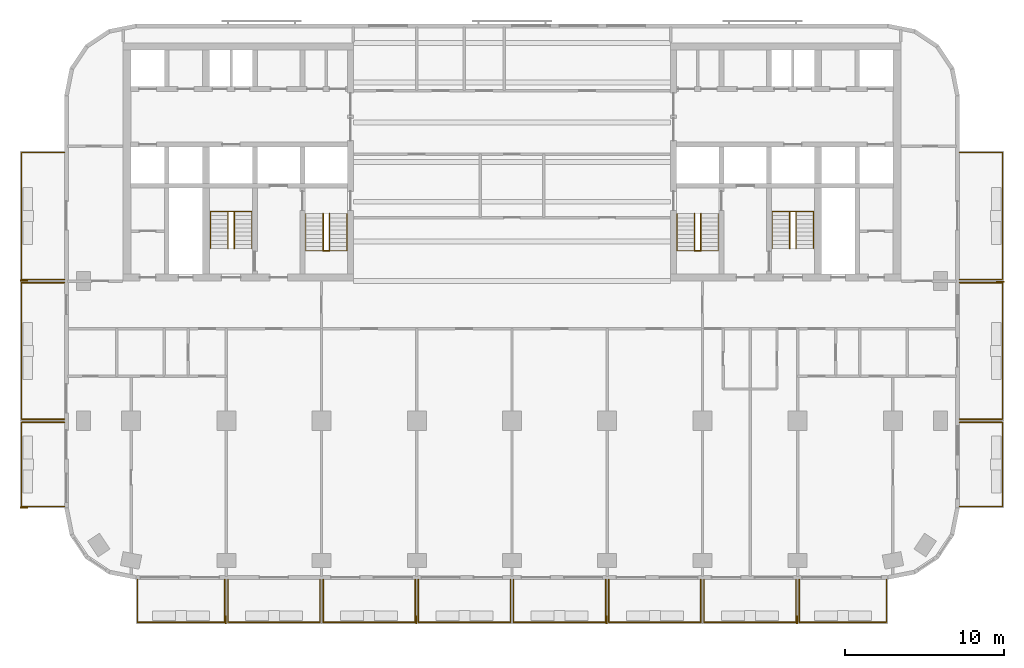
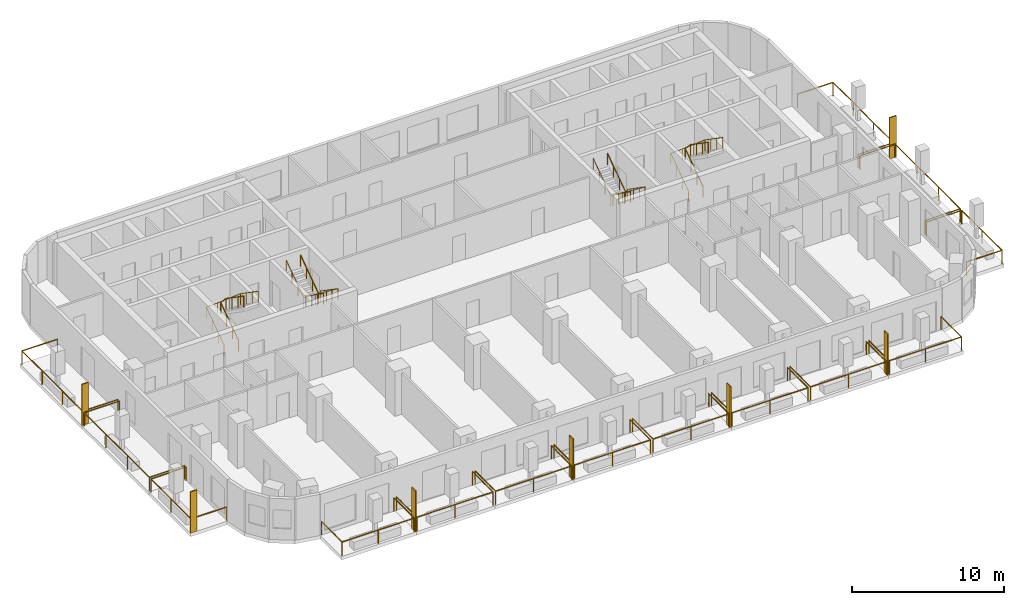
# One storey, part 10 of 12: 22 railings, 7 shading devices.
"""IFC4 building model written with IfcOpenShell, lengths in metres."""

from ifc_helpers import new_model, si_unit, direction, frame, origin, origin_2d, place, context, subcontext, project, spatial, rectangle, circle, extrude, material, layer, layer_set, type_object, element, save


model = new_model("IFC4")

# Units and contexts
model_context = context("Model", 3, precision=1e-05, world=origin(), true_north=direction((0.0, 1.0)))
body_context = subcontext(model_context, "Body", "Model", "MODEL_VIEW")
ifc_project = project(units=[si_unit("LENGTHUNIT", "METRE"), si_unit("AREAUNIT", "SQUARE_METRE"), si_unit("VOLUMEUNIT", "CUBIC_METRE"), si_unit("PLANEANGLEUNIT", "RADIAN"), si_unit("MASSUNIT", "GRAM", prefix="KILO")], contexts=[model_context])

# Site, building, storey
site_placement = place(None, origin())
site = spatial("IfcSite", under=ifc_project, at=site_placement, CompositionType="ELEMENT")
building_placement = place(site_placement, origin())
building = spatial("IfcBuilding", under=site, at=building_placement, Name="Torana Hotel and Residences", CompositionType="ELEMENT")
storey_placement = place(building_placement, frame((0.0, 0.0, 156.0)))
storey = spatial("IfcBuildingStorey", under=building, at=storey_placement, Name="L40", CompositionType="ELEMENT", Elevation=156.0)

# Shading devices
ifc_material_1 = material(Name="Black powder coated aluminium", Category="aluminium")
ifc_layer = layer(ifc_material_1, 0.080078125)
ifc_layer_set = layer_set([ifc_layer], Name="FN1 VERTICAL FIN 500x80")
shading_device_type = type_object("IfcShadingDeviceType", Name="FN1 VERTICAL FIN 500x80", PredefinedType="USERDEFINED", material=ifc_layer_set)
for number, where, z_axis, x_axis, name in (
    (1, (-18.0400390625, -36.35009765625, 0.0), (0.0, 0.0, 1.0), (-1.0, 0.0, 0.0), "Fin 01"),
    (2, (-6.0400390625, -36.35009765625, 0.0), (0.0, 0.0, 1.0), (-1.0, 0.0, 0.0), "Fin 03"),
    (3, (5.9599609375, -36.35009765625, 0.0), (0.0, 0.0, 1.0), (-1.0, 0.0, 0.0), "Fin 05"),
    (4, (17.9599609375, -36.35009765625, 0.0), (0.0, 0.0, 1.0), (-1.0, 0.0, 0.0), "Fin 07"),
    (5, (-30.75, -29.260009765625, 0.0), (0.0, 0.0, 1.0), (0.0, 1.0, 0.0), "Fin 09"),
    (6, (-30.75, -14.9599609375, 0.0), (0.0, 0.0, 1.0), (0.0, 1.0, 0.0), "Fin 11"),
    (7, (30.75, -15.0400390625, 0.0), (0.0, 0.0, 1.0), (0.0, -1.0, 0.0), "Fin 13"),
):
    element("IfcShadingDevice", number, at=place(storey_placement, frame(where, z_axis=z_axis, x_axis=x_axis)), inside=storey, type_object=shading_device_type, Name=name, ObjectType="FIN", PredefinedType="USERDEFINED", context=body_context, shape_type="SweptSolid", body=[
        extrude(rectangle(XDim=0.080078125, YDim=0.5, at=origin_2d()), origin(), (0.0, 0.0, 1.0), 3.320068359375),
    ])

# Railings
ifc_material_2 = material(Name="Laminated glass balustrade with black handrail", Category="glass")
railing_type_1 = type_object("IfcRailingType", Name="GR1 BALCONY GUARD 1100 GLASS", PredefinedType="GUARDRAIL", material=ifc_material_2)
railing_1_placement = place(storey_placement, frame((-18.10009765625, -33.800048828125, 0.0)))
element("IfcRailing", 8, at=railing_1_placement, inside=storey, type_object=railing_type_1, Name="Balcony guard 01", PredefinedType="GUARDRAIL", context=body_context, shape_type="SweptSolid", body=[
    extrude(circle(Radius=0.02392578125, at=origin_2d()), frame((0.0, 0.0, 1.076171875), z_axis=(0.0, -1.0, 0.0), x_axis=(1.0, 0.0, 0.0)), (0.0, 0.0, 1.0), 2.699951171875),
    extrude(circle(Radius=0.02392578125, at=origin_2d()), frame((0.0, -2.699951171875, 1.076171875), z_axis=(-1.0, 0.0, 0.0), x_axis=(0.0, -1.0, 0.0)), (0.0, 0.0, 1.0), 5.5),
    extrude(circle(Radius=0.02392578125, at=origin_2d()), frame((-5.5, -2.699951171875, 1.076171875), z_axis=(0.0, 1.0, 0.0), x_axis=(-1.0, 0.0, 0.0)), (0.0, 0.0, 1.0), 2.699951171875),
    extrude(circle(Radius=0.02099609375, at=origin_2d()), origin(), (0.0, 0.0, 1.0), 1.052001953125),
    extrude(circle(Radius=0.02099609375, at=origin_2d()), frame((0.0, -2.699951171875, 0.0)), (0.0, 0.0, 1.0), 1.052001953125),
    extrude(circle(Radius=0.02099609375, at=origin_2d()), frame((-2.75, -2.699951171875, 0.0)), (0.0, 0.0, 1.0), 1.052001953125),
    extrude(circle(Radius=0.02099609375, at=origin_2d()), frame((-5.5, -2.699951171875, 0.0)), (0.0, 0.0, 1.0), 1.052001953125),
    extrude(circle(Radius=0.02099609375, at=origin_2d()), frame((-5.5, 0.0, 0.0)), (0.0, 0.0, 1.0), 1.052001953125),
])
for number, where, name in (
    (9, (-12.10009765625, -33.800048828125, 0.0), "Balcony guard 02"),
    (10, (-6.10009765625, -33.800048828125, 0.0), "Balcony guard 03"),
    (11, (-0.10009765625, -33.800048828125, 0.0), "Balcony guard 04"),
    (12, (5.89990234375, -33.800048828125, 0.0), "Balcony guard 05"),
    (13, (11.89990234375, -33.800048828125, 0.0), "Balcony guard 06"),
    (14, (17.89990234375, -33.800048828125, 0.0), "Balcony guard 07"),
):
    element("IfcRailing", number, at=place(storey_placement, frame(where)), inside=storey, type_object=railing_type_1, Name=name, PredefinedType="GUARDRAIL", context=body_context, shape_type="SweptSolid", body=[
        extrude(circle(Radius=0.02392578125, at=origin_2d()), frame((0.0, 0.0, 1.076171875), z_axis=(0.0, -1.0, 0.0), x_axis=(1.0, 0.0, 0.0)), (0.0, 0.0, 1.0), 2.699951171875),
        extrude(circle(Radius=0.02392578125, at=origin_2d()), frame((0.0, -2.699951171875, 1.076171875), z_axis=(-1.0, 0.0, 0.0), x_axis=(0.0, -1.0, 0.0)), (0.0, 0.0, 1.0), 5.7998046875),
        extrude(circle(Radius=0.02392578125, at=origin_2d()), frame((-5.7998046875, -2.699951171875, 1.076171875), z_axis=(0.0, 1.0, 0.0), x_axis=(-1.0, 0.0, 0.0)), (0.0, 0.0, 1.0), 2.699951171875),
        extrude(circle(Radius=0.02099609375, at=origin_2d()), origin(), (0.0, 0.0, 1.0), 1.052001953125),
        extrude(circle(Radius=0.02099609375, at=origin_2d()), frame((0.0, -2.699951171875, 0.0)), (0.0, 0.0, 1.0), 1.052001953125),
        extrude(circle(Radius=0.02099609375, at=origin_2d()), frame((-2.89990234375, -2.699951171875, 0.0)), (0.0, 0.0, 1.0), 1.052001953125),
        extrude(circle(Radius=0.02099609375, at=origin_2d()), frame((-5.7998046875, -2.699951171875, 0.0)), (0.0, 0.0, 1.0), 1.052001953125),
        extrude(circle(Radius=0.02099609375, at=origin_2d()), frame((-5.7998046875, 0.0, 0.0)), (0.0, 0.0, 1.0), 1.052001953125),
    ])
railing_2_placement = place(storey_placement, frame((23.60009765625, -33.800048828125, 0.0)))
element("IfcRailing", 15, at=railing_2_placement, inside=storey, type_object=railing_type_1, Name="Balcony guard 08", PredefinedType="GUARDRAIL", context=body_context, shape_type="SweptSolid", body=[
    extrude(circle(Radius=0.02392578125, at=origin_2d()), frame((0.0, 0.0, 1.076171875), z_axis=(0.0, -1.0, 0.0), x_axis=(1.0, 0.0, 0.0)), (0.0, 0.0, 1.0), 2.699951171875),
    extrude(circle(Radius=0.02392578125, at=origin_2d()), frame((0.0, -2.699951171875, 1.076171875), z_axis=(-1.0, 0.0, 0.0), x_axis=(0.0, -1.0, 0.0)), (0.0, 0.0, 1.0), 5.5),
    extrude(circle(Radius=0.02392578125, at=origin_2d()), frame((-5.5, -2.699951171875, 1.076171875), z_axis=(0.0, 1.0, 0.0), x_axis=(-1.0, 0.0, 0.0)), (0.0, 0.0, 1.0), 2.699951171875),
    extrude(circle(Radius=0.02099609375, at=origin_2d()), origin(), (0.0, 0.0, 1.0), 1.052001953125),
    extrude(circle(Radius=0.02099609375, at=origin_2d()), frame((0.0, -2.699951171875, 0.0)), (0.0, 0.0, 1.0), 1.052001953125),
    extrude(circle(Radius=0.02099609375, at=origin_2d()), frame((-2.75, -2.699951171875, 0.0)), (0.0, 0.0, 1.0), 1.052001953125),
    extrude(circle(Radius=0.02099609375, at=origin_2d()), frame((-5.5, -2.699951171875, 0.0)), (0.0, 0.0, 1.0), 1.052001953125),
    extrude(circle(Radius=0.02099609375, at=origin_2d()), frame((-5.5, 0.0, 0.0)), (0.0, 0.0, 1.0), 1.052001953125),
])
railing_3_placement = place(storey_placement, frame((-28.199951171875, -29.199951171875, 0.0)))
element("IfcRailing", 16, at=railing_3_placement, inside=storey, type_object=railing_type_1, Name="Balcony guard 09", PredefinedType="GUARDRAIL", context=body_context, shape_type="SweptSolid", body=[
    extrude(circle(Radius=0.02392578125, at=origin_2d()), frame((0.0, 0.0, 1.076171875), z_axis=(-1.0, 0.0, 0.0), x_axis=(0.0, -1.0, 0.0)), (0.0, 0.0, 1.0), 2.699951171875),
    extrude(circle(Radius=0.02392578125, at=origin_2d()), frame((-2.699951171875, 0.0, 1.076171875), z_axis=(0.0, 1.0, 0.0), x_axis=(-1.0, 0.0, 0.0)), (0.0, 0.0, 1.0), 5.300048828125),
    extrude(circle(Radius=0.02392578125, at=origin_2d()), frame((-2.699951171875, 5.300048828125, 1.076171875), z_axis=(1.0, 0.0, 0.0), x_axis=(0.0, 1.0, 0.0)), (0.0, 0.0, 1.0), 2.699951171875),
    extrude(circle(Radius=0.02099609375, at=origin_2d()), origin(), (0.0, 0.0, 1.0), 1.052001953125),
    extrude(circle(Radius=0.02099609375, at=origin_2d()), frame((-2.699951171875, 0.0, 0.0)), (0.0, 0.0, 1.0), 1.052001953125),
    extrude(circle(Radius=0.02099609375, at=origin_2d()), frame((-2.699951171875, 2.64990234375, 0.0)), (0.0, 0.0, 1.0), 1.052001953125),
    extrude(circle(Radius=0.02099609375, at=origin_2d()), frame((-2.699951171875, 5.300048828125, 0.0)), (0.0, 0.0, 1.0), 1.052001953125),
    extrude(circle(Radius=0.02099609375, at=origin_2d()), frame((0.0, 5.300048828125, 0.0)), (0.0, 0.0, 1.0), 1.052001953125),
])
railing_4_placement = place(storey_placement, frame((-28.199951171875, -23.699951171875, 0.0)))
element("IfcRailing", 17, at=railing_4_placement, inside=storey, type_object=railing_type_1, Name="Balcony guard 10", PredefinedType="GUARDRAIL", context=body_context, shape_type="SweptSolid", body=[
    extrude(circle(Radius=0.02392578125, at=origin_2d()), frame((0.0, 0.0, 1.076171875), z_axis=(-1.0, 0.0, 0.0), x_axis=(0.0, -1.0, 0.0)), (0.0, 0.0, 1.0), 2.699951171875),
    extrude(circle(Radius=0.02392578125, at=origin_2d()), frame((-2.699951171875, 0.0, 1.076171875), z_axis=(0.0, 1.0, 0.0), x_axis=(-1.0, 0.0, 0.0)), (0.0, 0.0, 1.0), 8.599853515625),
    extrude(circle(Radius=0.02392578125, at=origin_2d()), frame((-2.699951171875, 8.599853515625, 1.076171875), z_axis=(1.0, 0.0, 0.0), x_axis=(0.0, 1.0, 0.0)), (0.0, 0.0, 1.0), 2.699951171875),
    extrude(circle(Radius=0.02099609375, at=origin_2d()), origin(), (0.0, 0.0, 1.0), 1.052001953125),
    extrude(circle(Radius=0.02099609375, at=origin_2d()), frame((-2.699951171875, 0.0, 0.0)), (0.0, 0.0, 1.0), 1.052001953125),
    extrude(circle(Radius=0.02099609375, at=origin_2d()), frame((-2.699951171875, 2.86669921875, 0.0)), (0.0, 0.0, 1.0), 1.052001953125),
    extrude(circle(Radius=0.02099609375, at=origin_2d()), frame((-2.699951171875, 5.733154296875, 0.0)), (0.0, 0.0, 1.0), 1.052001953125),
    extrude(circle(Radius=0.02099609375, at=origin_2d()), frame((-2.699951171875, 8.599853515625, 0.0)), (0.0, 0.0, 1.0), 1.052001953125),
    extrude(circle(Radius=0.02099609375, at=origin_2d()), frame((0.0, 8.599853515625, 0.0)), (0.0, 0.0, 1.0), 1.052001953125),
])
railing_5_placement = place(storey_placement, frame((-28.199951171875, -14.89990234375, 0.0)))
element("IfcRailing", 18, at=railing_5_placement, inside=storey, type_object=railing_type_1, Name="Balcony guard 11", PredefinedType="GUARDRAIL", context=body_context, shape_type="SweptSolid", body=[
    extrude(circle(Radius=0.02392578125, at=origin_2d()), frame((0.0, 0.0, 1.076171875), z_axis=(-1.0, 0.0, 0.0), x_axis=(0.0, -1.0, 0.0)), (0.0, 0.0, 1.0), 2.699951171875),
    extrude(circle(Radius=0.02392578125, at=origin_2d()), frame((-2.699951171875, 0.0, 1.076171875), z_axis=(0.0, 1.0, 0.0), x_axis=(-1.0, 0.0, 0.0)), (0.0, 0.0, 1.0), 8.0),
    extrude(circle(Radius=0.02392578125, at=origin_2d()), frame((-2.699951171875, 8.0, 1.076171875), z_axis=(1.0, 0.0, 0.0), x_axis=(0.0, 1.0, 0.0)), (0.0, 0.0, 1.0), 2.699951171875),
    extrude(circle(Radius=0.02099609375, at=origin_2d()), origin(), (0.0, 0.0, 1.0), 1.052001953125),
    extrude(circle(Radius=0.02099609375, at=origin_2d()), frame((-2.699951171875, 0.0, 0.0)), (0.0, 0.0, 1.0), 1.052001953125),
    extrude(circle(Radius=0.02099609375, at=origin_2d()), frame((-2.699951171875, 2.666748046875, 0.0)), (0.0, 0.0, 1.0), 1.052001953125),
    extrude(circle(Radius=0.02099609375, at=origin_2d()), frame((-2.699951171875, 5.333251953125, 0.0)), (0.0, 0.0, 1.0), 1.052001953125),
    extrude(circle(Radius=0.02099609375, at=origin_2d()), frame((-2.699951171875, 8.0, 0.0)), (0.0, 0.0, 1.0), 1.052001953125),
    extrude(circle(Radius=0.02099609375, at=origin_2d()), frame((0.0, 8.0, 0.0)), (0.0, 0.0, 1.0), 1.052001953125),
])
railing_6_placement = place(storey_placement, frame((28.199951171875, -23.89990234375, 0.0)))
element("IfcRailing", 19, at=railing_6_placement, inside=storey, type_object=railing_type_1, Name="Balcony guard 12", PredefinedType="GUARDRAIL", context=body_context, shape_type="SweptSolid", body=[
    extrude(circle(Radius=0.02392578125, at=origin_2d()), frame((0.0, 0.0, 1.076171875), z_axis=(1.0, 0.0, 0.0), x_axis=(0.0, 1.0, 0.0)), (0.0, 0.0, 1.0), 2.699951171875),
    extrude(circle(Radius=0.02392578125, at=origin_2d()), frame((2.699951171875, 0.0, 1.076171875), z_axis=(0.0, -1.0, 0.0), x_axis=(1.0, 0.0, 0.0)), (0.0, 0.0, 1.0), 5.300048828125),
    extrude(circle(Radius=0.02392578125, at=origin_2d()), frame((2.699951171875, -5.300048828125, 1.076171875), z_axis=(-1.0, 0.0, 0.0), x_axis=(0.0, -1.0, 0.0)), (0.0, 0.0, 1.0), 2.699951171875),
    extrude(circle(Radius=0.02099609375, at=origin_2d()), origin(), (0.0, 0.0, 1.0), 1.052001953125),
    extrude(circle(Radius=0.02099609375, at=origin_2d()), frame((2.699951171875, 0.0, 0.0)), (0.0, 0.0, 1.0), 1.052001953125),
    extrude(circle(Radius=0.02099609375, at=origin_2d()), frame((2.699951171875, -2.64990234375, 0.0)), (0.0, 0.0, 1.0), 1.052001953125),
    extrude(circle(Radius=0.02099609375, at=origin_2d()), frame((2.699951171875, -5.300048828125, 0.0)), (0.0, 0.0, 1.0), 1.052001953125),
    extrude(circle(Radius=0.02099609375, at=origin_2d()), frame((0.0, -5.300048828125, 0.0)), (0.0, 0.0, 1.0), 1.052001953125),
])
railing_7_placement = place(storey_placement, frame((28.199951171875, -15.10009765625, 0.0)))
element("IfcRailing", 20, at=railing_7_placement, inside=storey, type_object=railing_type_1, Name="Balcony guard 13", PredefinedType="GUARDRAIL", context=body_context, shape_type="SweptSolid", body=[
    extrude(circle(Radius=0.02392578125, at=origin_2d()), frame((0.0, 0.0, 1.076171875), z_axis=(1.0, 0.0, 0.0), x_axis=(0.0, 1.0, 0.0)), (0.0, 0.0, 1.0), 2.699951171875),
    extrude(circle(Radius=0.02392578125, at=origin_2d()), frame((2.699951171875, 0.0, 1.076171875), z_axis=(0.0, -1.0, 0.0), x_axis=(1.0, 0.0, 0.0)), (0.0, 0.0, 1.0), 8.599853515625),
    extrude(circle(Radius=0.02392578125, at=origin_2d()), frame((2.699951171875, -8.599853515625, 1.076171875), z_axis=(-1.0, 0.0, 0.0), x_axis=(0.0, -1.0, 0.0)), (0.0, 0.0, 1.0), 2.699951171875),
    extrude(circle(Radius=0.02099609375, at=origin_2d()), origin(), (0.0, 0.0, 1.0), 1.052001953125),
    extrude(circle(Radius=0.02099609375, at=origin_2d()), frame((2.699951171875, 0.0, 0.0)), (0.0, 0.0, 1.0), 1.052001953125),
    extrude(circle(Radius=0.02099609375, at=origin_2d()), frame((2.699951171875, -2.86669921875, 0.0)), (0.0, 0.0, 1.0), 1.052001953125),
    extrude(circle(Radius=0.02099609375, at=origin_2d()), frame((2.699951171875, -5.733154296875, 0.0)), (0.0, 0.0, 1.0), 1.052001953125),
    extrude(circle(Radius=0.02099609375, at=origin_2d()), frame((2.699951171875, -8.599853515625, 0.0)), (0.0, 0.0, 1.0), 1.052001953125),
    extrude(circle(Radius=0.02099609375, at=origin_2d()), frame((0.0, -8.599853515625, 0.0)), (0.0, 0.0, 1.0), 1.052001953125),
])
railing_8_placement = place(storey_placement, frame((28.199951171875, -6.89990234375, 0.0)))
element("IfcRailing", 21, at=railing_8_placement, inside=storey, type_object=railing_type_1, Name="Balcony guard 14", PredefinedType="GUARDRAIL", context=body_context, shape_type="SweptSolid", body=[
    extrude(circle(Radius=0.02392578125, at=origin_2d()), frame((0.0, 0.0, 1.076171875), z_axis=(1.0, 0.0, 0.0), x_axis=(0.0, 1.0, 0.0)), (0.0, 0.0, 1.0), 2.699951171875),
    extrude(circle(Radius=0.02392578125, at=origin_2d()), frame((2.699951171875, 0.0, 1.076171875), z_axis=(0.0, -1.0, 0.0), x_axis=(1.0, 0.0, 0.0)), (0.0, 0.0, 1.0), 8.0),
    extrude(circle(Radius=0.02392578125, at=origin_2d()), frame((2.699951171875, -8.0, 1.076171875), z_axis=(-1.0, 0.0, 0.0), x_axis=(0.0, -1.0, 0.0)), (0.0, 0.0, 1.0), 2.699951171875),
    extrude(circle(Radius=0.02099609375, at=origin_2d()), origin(), (0.0, 0.0, 1.0), 1.052001953125),
    extrude(circle(Radius=0.02099609375, at=origin_2d()), frame((2.699951171875, 0.0, 0.0)), (0.0, 0.0, 1.0), 1.052001953125),
    extrude(circle(Radius=0.02099609375, at=origin_2d()), frame((2.699951171875, -2.666748046875, 0.0)), (0.0, 0.0, 1.0), 1.052001953125),
    extrude(circle(Radius=0.02099609375, at=origin_2d()), frame((2.699951171875, -5.333251953125, 0.0)), (0.0, 0.0, 1.0), 1.052001953125),
    extrude(circle(Radius=0.02099609375, at=origin_2d()), frame((2.699951171875, -8.0, 0.0)), (0.0, 0.0, 1.0), 1.052001953125),
    extrude(circle(Radius=0.02099609375, at=origin_2d()), frame((0.0, -8.0, 0.0)), (0.0, 0.0, 1.0), 1.052001953125),
])
ifc_material_3 = material(Name="Stainless steel 316", Category="steel")
railing_type_2 = type_object("IfcRailingType", Name="STAIR HANDRAIL HR1 900", PredefinedType="HANDRAIL", material=ifc_material_3)
railing_9_placement = place(storey_placement, frame((-10.39990234375, -10.75, 0.179931640625)))
element("IfcRailing", 22, at=railing_9_placement, inside=storey, type_object=railing_type_2, Name="Handrail ST1 L40 O1", PredefinedType="HANDRAIL", context=body_context, shape_type="SweptSolid", body=[
    extrude(circle(Radius=0.02392578125, at=origin_2d()), frame((0.0, 0.0, 0.8759765625), z_axis=(0.0, -0.822182927502, 0.569223360136), x_axis=(1.0, 0.0, 0.0)), (0.0, 0.0, 1.0), 2.84619140625),
    extrude(circle(Radius=0.02392578125, at=origin_2d()), frame((0.0, -2.340087890625, 2.49609375), z_axis=(-0.997614115953, 0.0, 0.069036770278), x_axis=(0.0, -1.0, 0.0)), (0.0, 0.0, 1.0), 2.606201171875),
    extrude(circle(Radius=0.02392578125, at=origin_2d()), frame((-2.60009765625, -2.340087890625, 2.67578125), z_axis=(0.0, 0.822182927502, 0.569223360136), x_axis=(-1.0, 0.0, 0.0)), (0.0, 0.0, 1.0), 2.84619140625),
    extrude(circle(Radius=0.02099609375, at=origin_2d()), origin(), (0.0, 0.0, 1.0), 0.851806640625),
    extrude(circle(Radius=0.02099609375, at=origin_2d()), frame((0.0, -0.780029296875, 0.5400390625)), (0.0, 0.0, 1.0), 0.851806640625),
    extrude(circle(Radius=0.02099609375, at=origin_2d()), frame((0.0, -1.56005859375, 1.080078125)), (0.0, 0.0, 1.0), 0.851806640625),
    extrude(circle(Radius=0.02099609375, at=origin_2d()), frame((0.0, -2.340087890625, 1.6201171875)), (0.0, 0.0, 1.0), 0.851806640625),
    extrude(circle(Radius=0.02099609375, at=origin_2d()), frame((-0.86669921875, -2.340087890625, 1.68017578125)), (0.0, 0.0, 1.0), 0.851806640625),
    extrude(circle(Radius=0.02099609375, at=origin_2d()), frame((-1.7333984375, -2.340087890625, 1.739990234375)), (0.0, 0.0, 1.0), 0.851806640625),
    extrude(circle(Radius=0.02099609375, at=origin_2d()), frame((-2.60009765625, -2.340087890625, 1.800048828125)), (0.0, 0.0, 1.0), 0.851806640625),
    extrude(circle(Radius=0.02099609375, at=origin_2d()), frame((-2.60009765625, -1.56005859375, 2.340087890625)), (0.0, 0.0, 1.0), 0.851806640625),
    extrude(circle(Radius=0.02099609375, at=origin_2d()), frame((-2.60009765625, -0.780029296875, 2.880126953125)), (0.0, 0.0, 1.0), 0.851806640625),
    extrude(circle(Radius=0.02099609375, at=origin_2d()), frame((-2.60009765625, 0.0, 3.420166015625)), (0.0, 0.0, 1.0), 0.851806640625),
])
railing_10_placement = place(storey_placement, frame((-11.5, -10.75, 0.179931640625)))
element("IfcRailing", 23, at=railing_10_placement, inside=storey, type_object=railing_type_2, Name="Handrail ST1 L40 I1", PredefinedType="HANDRAIL", context=body_context, shape_type="SweptSolid", body=[
    extrude(circle(Radius=0.02392578125, at=origin_2d()), frame((0.0, 0.0, 0.8759765625), z_axis=(0.0, -0.822182927502, 0.569223360136), x_axis=(1.0, 0.0, 0.0)), (0.0, 0.0, 1.0), 2.84619140625),
    extrude(circle(Radius=0.02392578125, at=origin_2d()), frame((0.0, -2.340087890625, 2.49609375), z_axis=(-0.911942338396, 0.0, 0.410318378143), x_axis=(0.0, -1.0, 0.0)), (0.0, 0.0, 1.0), 0.4384765625),
    extrude(circle(Radius=0.02392578125, at=origin_2d()), frame((-0.39990234375, -2.340087890625, 2.67578125), z_axis=(0.0, 0.822182927502, 0.569223360136), x_axis=(-1.0, 0.0, 0.0)), (0.0, 0.0, 1.0), 2.84619140625),
    extrude(circle(Radius=0.02099609375, at=origin_2d()), origin(), (0.0, 0.0, 1.0), 0.851806640625),
    extrude(circle(Radius=0.02099609375, at=origin_2d()), frame((0.0, -0.780029296875, 0.5400390625)), (0.0, 0.0, 1.0), 0.851806640625),
    extrude(circle(Radius=0.02099609375, at=origin_2d()), frame((0.0, -1.56005859375, 1.080078125)), (0.0, 0.0, 1.0), 0.851806640625),
    extrude(circle(Radius=0.02099609375, at=origin_2d()), frame((0.0, -2.340087890625, 1.6201171875)), (0.0, 0.0, 1.0), 0.851806640625),
    extrude(circle(Radius=0.02099609375, at=origin_2d()), frame((-0.39990234375, -2.340087890625, 1.800048828125)), (0.0, 0.0, 1.0), 0.851806640625),
    extrude(circle(Radius=0.02099609375, at=origin_2d()), frame((-0.39990234375, -1.56005859375, 2.340087890625)), (0.0, 0.0, 1.0), 0.851806640625),
    extrude(circle(Radius=0.02099609375, at=origin_2d()), frame((-0.39990234375, -0.780029296875, 2.880126953125)), (0.0, 0.0, 1.0), 0.851806640625),
    extrude(circle(Radius=0.02099609375, at=origin_2d()), frame((-0.39990234375, 0.0, 3.420166015625)), (0.0, 0.0, 1.0), 0.851806640625),
])
railing_11_placement = place(storey_placement, frame((-19.0, -12.949951171875, 0.179931640625)))
element("IfcRailing", 24, at=railing_11_placement, inside=storey, type_object=railing_type_2, Name="Handrail ST2 L40 O1", PredefinedType="HANDRAIL", context=body_context, shape_type="SweptSolid", body=[
    extrude(circle(Radius=0.02392578125, at=origin_2d()), frame((0.0, 0.0, 0.8759765625), z_axis=(0.0, 0.822155131156, 0.569263506923), x_axis=(-1.0, 0.0, 0.0)), (0.0, 0.0, 1.0), 2.845947265625),
    extrude(circle(Radius=0.02392578125, at=origin_2d()), frame((0.0, 2.33984375, 2.49609375), z_axis=(0.997614115953, 0.0, 0.069036770278), x_axis=(0.0, 1.0, 0.0)), (0.0, 0.0, 1.0), 2.606201171875),
    extrude(circle(Radius=0.02392578125, at=origin_2d()), frame((2.60009765625, 2.33984375, 2.67578125), z_axis=(0.0, -0.822155131156, 0.569263506923), x_axis=(1.0, 0.0, 0.0)), (0.0, 0.0, 1.0), 2.845947265625),
    extrude(circle(Radius=0.02099609375, at=origin_2d()), origin(), (0.0, 0.0, 1.0), 0.851806640625),
    extrude(circle(Radius=0.02099609375, at=origin_2d()), frame((0.0, 0.780029296875, 0.5400390625)), (0.0, 0.0, 1.0), 0.851806640625),
    extrude(circle(Radius=0.02099609375, at=origin_2d()), frame((0.0, 1.559814453125, 1.080078125)), (0.0, 0.0, 1.0), 0.851806640625),
    extrude(circle(Radius=0.02099609375, at=origin_2d()), frame((0.0, 2.33984375, 1.6201171875)), (0.0, 0.0, 1.0), 0.851806640625),
    extrude(circle(Radius=0.02099609375, at=origin_2d()), frame((0.86669921875, 2.33984375, 1.68017578125)), (0.0, 0.0, 1.0), 0.851806640625),
    extrude(circle(Radius=0.02099609375, at=origin_2d()), frame((1.7333984375, 2.33984375, 1.739990234375)), (0.0, 0.0, 1.0), 0.851806640625),
    extrude(circle(Radius=0.02099609375, at=origin_2d()), frame((2.60009765625, 2.33984375, 1.800048828125)), (0.0, 0.0, 1.0), 0.851806640625),
    extrude(circle(Radius=0.02099609375, at=origin_2d()), frame((2.60009765625, 1.559814453125, 2.340087890625)), (0.0, 0.0, 1.0), 0.851806640625),
    extrude(circle(Radius=0.02099609375, at=origin_2d()), frame((2.60009765625, 0.780029296875, 2.880126953125)), (0.0, 0.0, 1.0), 0.851806640625),
    extrude(circle(Radius=0.02099609375, at=origin_2d()), frame((2.60009765625, 0.0, 3.420166015625)), (0.0, 0.0, 1.0), 0.851806640625),
])
railing_12_placement = place(storey_placement, frame((-17.89990234375, -12.949951171875, 0.179931640625)))
element("IfcRailing", 25, at=railing_12_placement, inside=storey, type_object=railing_type_2, Name="Handrail ST2 L40 I1", PredefinedType="HANDRAIL", context=body_context, shape_type="SweptSolid", body=[
    extrude(circle(Radius=0.02392578125, at=origin_2d()), frame((0.0, 0.0, 0.8759765625), z_axis=(0.0, 0.822155131156, 0.569263506923), x_axis=(-1.0, 0.0, 0.0)), (0.0, 0.0, 1.0), 2.845947265625),
    extrude(circle(Radius=0.02392578125, at=origin_2d()), frame((0.0, 2.33984375, 2.49609375), z_axis=(0.911942338396, 0.0, 0.410318378143), x_axis=(0.0, 1.0, 0.0)), (0.0, 0.0, 1.0), 0.4384765625),
    extrude(circle(Radius=0.02392578125, at=origin_2d()), frame((0.39990234375, 2.33984375, 2.67578125), z_axis=(0.0, -0.822155131156, 0.569263506923), x_axis=(1.0, 0.0, 0.0)), (0.0, 0.0, 1.0), 2.845947265625),
    extrude(circle(Radius=0.02099609375, at=origin_2d()), origin(), (0.0, 0.0, 1.0), 0.851806640625),
    extrude(circle(Radius=0.02099609375, at=origin_2d()), frame((0.0, 0.780029296875, 0.5400390625)), (0.0, 0.0, 1.0), 0.851806640625),
    extrude(circle(Radius=0.02099609375, at=origin_2d()), frame((0.0, 1.559814453125, 1.080078125)), (0.0, 0.0, 1.0), 0.851806640625),
    extrude(circle(Radius=0.02099609375, at=origin_2d()), frame((0.0, 2.33984375, 1.6201171875)), (0.0, 0.0, 1.0), 0.851806640625),
    extrude(circle(Radius=0.02099609375, at=origin_2d()), frame((0.39990234375, 2.33984375, 1.800048828125)), (0.0, 0.0, 1.0), 0.851806640625),
    extrude(circle(Radius=0.02099609375, at=origin_2d()), frame((0.39990234375, 1.559814453125, 2.340087890625)), (0.0, 0.0, 1.0), 0.851806640625),
    extrude(circle(Radius=0.02099609375, at=origin_2d()), frame((0.39990234375, 0.780029296875, 2.880126953125)), (0.0, 0.0, 1.0), 0.851806640625),
    extrude(circle(Radius=0.02099609375, at=origin_2d()), frame((0.39990234375, 0.0, 3.420166015625)), (0.0, 0.0, 1.0), 0.851806640625),
])
railing_13_placement = place(storey_placement, frame((13.0, -10.75, 0.179931640625)))
element("IfcRailing", 26, at=railing_13_placement, inside=storey, type_object=railing_type_2, Name="Handrail ST3 L40 O1", PredefinedType="HANDRAIL", context=body_context, shape_type="SweptSolid", body=[
    extrude(circle(Radius=0.02392578125, at=origin_2d()), frame((0.0, 0.0, 0.8759765625), z_axis=(0.0, -0.822182927502, 0.569223360136), x_axis=(1.0, 0.0, 0.0)), (0.0, 0.0, 1.0), 2.84619140625),
    extrude(circle(Radius=0.02392578125, at=origin_2d()), frame((0.0, -2.340087890625, 2.49609375), z_axis=(-0.997614115953, 0.0, 0.069036770278), x_axis=(0.0, -1.0, 0.0)), (0.0, 0.0, 1.0), 2.606201171875),
    extrude(circle(Radius=0.02392578125, at=origin_2d()), frame((-2.60009765625, -2.340087890625, 2.67578125), z_axis=(0.0, 0.822182927502, 0.569223360136), x_axis=(-1.0, 0.0, 0.0)), (0.0, 0.0, 1.0), 2.84619140625),
    extrude(circle(Radius=0.02099609375, at=origin_2d()), origin(), (0.0, 0.0, 1.0), 0.851806640625),
    extrude(circle(Radius=0.02099609375, at=origin_2d()), frame((0.0, -0.780029296875, 0.5400390625)), (0.0, 0.0, 1.0), 0.851806640625),
    extrude(circle(Radius=0.02099609375, at=origin_2d()), frame((0.0, -1.56005859375, 1.080078125)), (0.0, 0.0, 1.0), 0.851806640625),
    extrude(circle(Radius=0.02099609375, at=origin_2d()), frame((0.0, -2.340087890625, 1.6201171875)), (0.0, 0.0, 1.0), 0.851806640625),
    extrude(circle(Radius=0.02099609375, at=origin_2d()), frame((-0.86669921875, -2.340087890625, 1.68017578125)), (0.0, 0.0, 1.0), 0.851806640625),
    extrude(circle(Radius=0.02099609375, at=origin_2d()), frame((-1.7333984375, -2.340087890625, 1.739990234375)), (0.0, 0.0, 1.0), 0.851806640625),
    extrude(circle(Radius=0.02099609375, at=origin_2d()), frame((-2.60009765625, -2.340087890625, 1.800048828125)), (0.0, 0.0, 1.0), 0.851806640625),
    extrude(circle(Radius=0.02099609375, at=origin_2d()), frame((-2.60009765625, -1.56005859375, 2.340087890625)), (0.0, 0.0, 1.0), 0.851806640625),
    extrude(circle(Radius=0.02099609375, at=origin_2d()), frame((-2.60009765625, -0.780029296875, 2.880126953125)), (0.0, 0.0, 1.0), 0.851806640625),
    extrude(circle(Radius=0.02099609375, at=origin_2d()), frame((-2.60009765625, 0.0, 3.420166015625)), (0.0, 0.0, 1.0), 0.851806640625),
])
railing_14_placement = place(storey_placement, frame((11.89990234375, -10.75, 0.179931640625)))
element("IfcRailing", 27, at=railing_14_placement, inside=storey, type_object=railing_type_2, Name="Handrail ST3 L40 I1", PredefinedType="HANDRAIL", context=body_context, shape_type="SweptSolid", body=[
    extrude(circle(Radius=0.02392578125, at=origin_2d()), frame((0.0, 0.0, 0.8759765625), z_axis=(0.0, -0.822182927502, 0.569223360136), x_axis=(1.0, 0.0, 0.0)), (0.0, 0.0, 1.0), 2.84619140625),
    extrude(circle(Radius=0.02392578125, at=origin_2d()), frame((0.0, -2.340087890625, 2.49609375), z_axis=(-0.911942338396, 0.0, 0.410318378143), x_axis=(0.0, -1.0, 0.0)), (0.0, 0.0, 1.0), 0.4384765625),
    extrude(circle(Radius=0.02392578125, at=origin_2d()), frame((-0.39990234375, -2.340087890625, 2.67578125), z_axis=(0.0, 0.822182927502, 0.569223360136), x_axis=(-1.0, 0.0, 0.0)), (0.0, 0.0, 1.0), 2.84619140625),
    extrude(circle(Radius=0.02099609375, at=origin_2d()), origin(), (0.0, 0.0, 1.0), 0.851806640625),
    extrude(circle(Radius=0.02099609375, at=origin_2d()), frame((0.0, -0.780029296875, 0.5400390625)), (0.0, 0.0, 1.0), 0.851806640625),
    extrude(circle(Radius=0.02099609375, at=origin_2d()), frame((0.0, -1.56005859375, 1.080078125)), (0.0, 0.0, 1.0), 0.851806640625),
    extrude(circle(Radius=0.02099609375, at=origin_2d()), frame((0.0, -2.340087890625, 1.6201171875)), (0.0, 0.0, 1.0), 0.851806640625),
    extrude(circle(Radius=0.02099609375, at=origin_2d()), frame((-0.39990234375, -2.340087890625, 1.800048828125)), (0.0, 0.0, 1.0), 0.851806640625),
    extrude(circle(Radius=0.02099609375, at=origin_2d()), frame((-0.39990234375, -1.56005859375, 2.340087890625)), (0.0, 0.0, 1.0), 0.851806640625),
    extrude(circle(Radius=0.02099609375, at=origin_2d()), frame((-0.39990234375, -0.780029296875, 2.880126953125)), (0.0, 0.0, 1.0), 0.851806640625),
    extrude(circle(Radius=0.02099609375, at=origin_2d()), frame((-0.39990234375, 0.0, 3.420166015625)), (0.0, 0.0, 1.0), 0.851806640625),
])
railing_15_placement = place(storey_placement, frame((16.39990234375, -12.949951171875, 0.179931640625)))
element("IfcRailing", 28, at=railing_15_placement, inside=storey, type_object=railing_type_2, Name="Handrail ST4 L40 O1", PredefinedType="HANDRAIL", context=body_context, shape_type="SweptSolid", body=[
    extrude(circle(Radius=0.02392578125, at=origin_2d()), frame((0.0, 0.0, 0.8759765625), z_axis=(0.0, 0.822155131156, 0.569263506923), x_axis=(-1.0, 0.0, 0.0)), (0.0, 0.0, 1.0), 2.845947265625),
    extrude(circle(Radius=0.02392578125, at=origin_2d()), frame((0.0, 2.33984375, 2.49609375), z_axis=(0.997614115953, 0.0, 0.069036770278), x_axis=(0.0, 1.0, 0.0)), (0.0, 0.0, 1.0), 2.606201171875),
    extrude(circle(Radius=0.02392578125, at=origin_2d()), frame((2.60009765625, 2.33984375, 2.67578125), z_axis=(0.0, -0.822155131156, 0.569263506923), x_axis=(1.0, 0.0, 0.0)), (0.0, 0.0, 1.0), 2.845947265625),
    extrude(circle(Radius=0.02099609375, at=origin_2d()), origin(), (0.0, 0.0, 1.0), 0.851806640625),
    extrude(circle(Radius=0.02099609375, at=origin_2d()), frame((0.0, 0.780029296875, 0.5400390625)), (0.0, 0.0, 1.0), 0.851806640625),
    extrude(circle(Radius=0.02099609375, at=origin_2d()), frame((0.0, 1.559814453125, 1.080078125)), (0.0, 0.0, 1.0), 0.851806640625),
    extrude(circle(Radius=0.02099609375, at=origin_2d()), frame((0.0, 2.33984375, 1.6201171875)), (0.0, 0.0, 1.0), 0.851806640625),
    extrude(circle(Radius=0.02099609375, at=origin_2d()), frame((0.86669921875, 2.33984375, 1.68017578125)), (0.0, 0.0, 1.0), 0.851806640625),
    extrude(circle(Radius=0.02099609375, at=origin_2d()), frame((1.7333984375, 2.33984375, 1.739990234375)), (0.0, 0.0, 1.0), 0.851806640625),
    extrude(circle(Radius=0.02099609375, at=origin_2d()), frame((2.60009765625, 2.33984375, 1.800048828125)), (0.0, 0.0, 1.0), 0.851806640625),
    extrude(circle(Radius=0.02099609375, at=origin_2d()), frame((2.60009765625, 1.559814453125, 2.340087890625)), (0.0, 0.0, 1.0), 0.851806640625),
    extrude(circle(Radius=0.02099609375, at=origin_2d()), frame((2.60009765625, 0.780029296875, 2.880126953125)), (0.0, 0.0, 1.0), 0.851806640625),
    extrude(circle(Radius=0.02099609375, at=origin_2d()), frame((2.60009765625, 0.0, 3.420166015625)), (0.0, 0.0, 1.0), 0.851806640625),
])
railing_16_placement = place(storey_placement, frame((17.5, -12.949951171875, 0.179931640625)))
element("IfcRailing", 29, at=railing_16_placement, inside=storey, type_object=railing_type_2, Name="Handrail ST4 L40 I1", PredefinedType="HANDRAIL", context=body_context, shape_type="SweptSolid", body=[
    extrude(circle(Radius=0.02392578125, at=origin_2d()), frame((0.0, 0.0, 0.8759765625), z_axis=(0.0, 0.822155131156, 0.569263506923), x_axis=(-1.0, 0.0, 0.0)), (0.0, 0.0, 1.0), 2.845947265625),
    extrude(circle(Radius=0.02392578125, at=origin_2d()), frame((0.0, 2.33984375, 2.49609375), z_axis=(0.911942338396, 0.0, 0.410318378143), x_axis=(0.0, 1.0, 0.0)), (0.0, 0.0, 1.0), 0.4384765625),
    extrude(circle(Radius=0.02392578125, at=origin_2d()), frame((0.39990234375, 2.33984375, 2.67578125), z_axis=(0.0, -0.822155131156, 0.569263506923), x_axis=(1.0, 0.0, 0.0)), (0.0, 0.0, 1.0), 2.845947265625),
    extrude(circle(Radius=0.02099609375, at=origin_2d()), origin(), (0.0, 0.0, 1.0), 0.851806640625),
    extrude(circle(Radius=0.02099609375, at=origin_2d()), frame((0.0, 0.780029296875, 0.5400390625)), (0.0, 0.0, 1.0), 0.851806640625),
    extrude(circle(Radius=0.02099609375, at=origin_2d()), frame((0.0, 1.559814453125, 1.080078125)), (0.0, 0.0, 1.0), 0.851806640625),
    extrude(circle(Radius=0.02099609375, at=origin_2d()), frame((0.0, 2.33984375, 1.6201171875)), (0.0, 0.0, 1.0), 0.851806640625),
    extrude(circle(Radius=0.02099609375, at=origin_2d()), frame((0.39990234375, 2.33984375, 1.800048828125)), (0.0, 0.0, 1.0), 0.851806640625),
    extrude(circle(Radius=0.02099609375, at=origin_2d()), frame((0.39990234375, 1.559814453125, 2.340087890625)), (0.0, 0.0, 1.0), 0.851806640625),
    extrude(circle(Radius=0.02099609375, at=origin_2d()), frame((0.39990234375, 0.780029296875, 2.880126953125)), (0.0, 0.0, 1.0), 0.851806640625),
    extrude(circle(Radius=0.02099609375, at=origin_2d()), frame((0.39990234375, 0.0, 3.420166015625)), (0.0, 0.0, 1.0), 0.851806640625),
])

save(model, "model.ifc")
